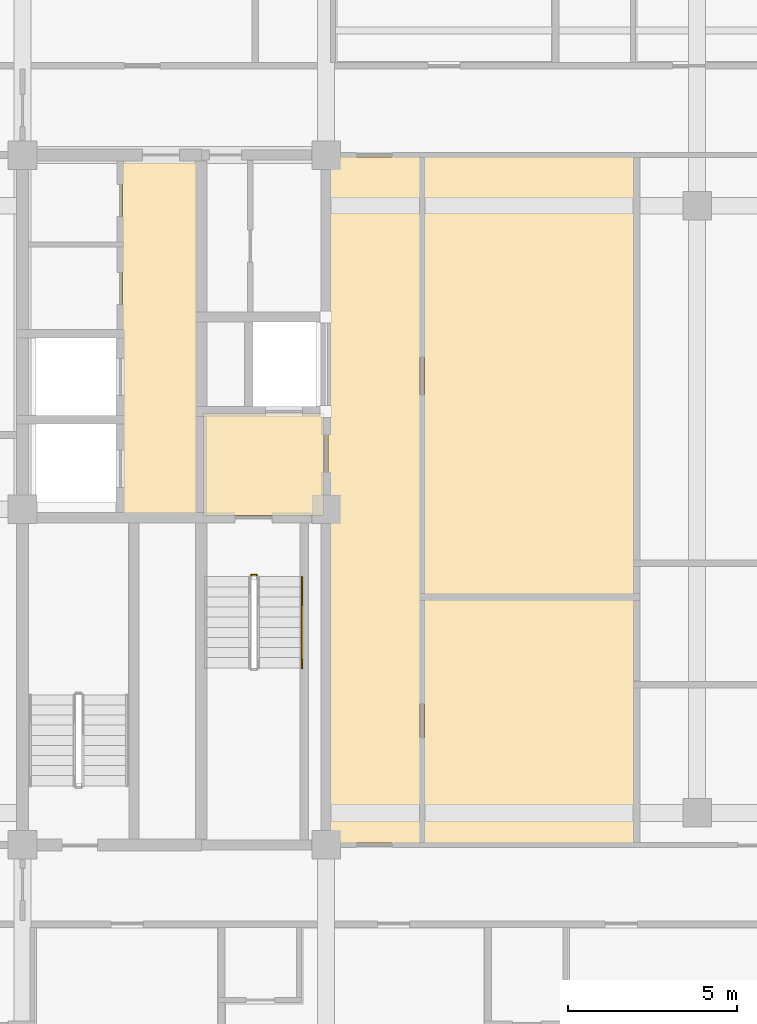
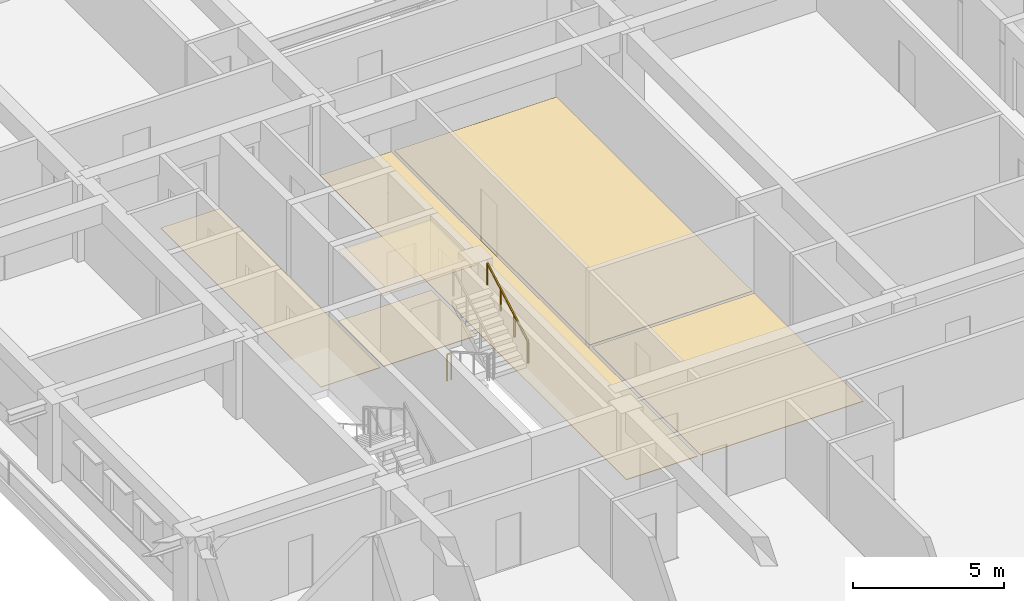
# One storey, part 11 of 14: 6 coverings, 2 railings.
"""IFC4 building model written with IfcOpenShell, lengths in metres."""

from ifc_helpers import new_model, si_unit, direction, frame, origin, origin_2d, place, context, subcontext, project, spatial, polyline, rectangle, outline, extrude, material, layer, layer_set, type_object, element, save


model = new_model("IFC4")

# Units and contexts
model_context = context("Model", 3, precision=1e-05, world=origin(), true_north=direction((0.0, 1.0)))
body_context = subcontext(model_context, "Body", "Model", "MODEL_VIEW")
ifc_project = project(units=[si_unit("LENGTHUNIT", "METRE"), si_unit("AREAUNIT", "SQUARE_METRE"), si_unit("VOLUMEUNIT", "CUBIC_METRE"), si_unit("PLANEANGLEUNIT", "RADIAN"), si_unit("MASSUNIT", "GRAM", prefix="KILO")], contexts=[model_context])

# Site, building, storey
site_placement = place(None, origin())
site = spatial("IfcSite", under=ifc_project, at=site_placement, CompositionType="ELEMENT")
building_placement = place(site_placement, origin())
building = spatial("IfcBuilding", under=site, at=building_placement, Name="Zulmaris Gate Convention Tower", CompositionType="ELEMENT")
storey_placement = place(building_placement, frame((0.0, 0.0, 211.85986328125)))
storey = spatial("IfcBuildingStorey", under=building, at=storey_placement, Name="L55", CompositionType="ELEMENT", Elevation=211.85986328125)

# Coverings
ifc_material_1 = material(Name="Mineral Fibre Acoustic Ceiling Tile")
ifc_layer_1 = layer(ifc_material_1, 0.02001953125, Name="Mineral Fibre Acoustic Ceiling Tile")
ifc_layer_set_1 = layer_set([ifc_layer_1], Name="Mineral Fibre Acoustic Ceiling Tile")
covering_type_1 = type_object("IfcCoveringType", Name="CLG-ACOUSTIC-600", PredefinedType="CEILING", material=ifc_layer_set_1)
covering_1_placement = place(storey_placement, frame((0.0, 0.0, 2.8701171875)))
element("IfcCovering", 1, at=covering_1_placement, inside=storey, type_object=covering_type_1, Name="CLG-L55-R03", PredefinedType="CEILING", context=body_context, shape_type="SweptSolid", body=[
    extrude(outline(polyline([(-14.639892578125, -0.18994140625), (-11.06005859375, -0.18994140625), (-11.06005859375, 2.840087890625), (-14.639892578125, 2.840087890625), (-14.639892578125, -0.18994140625)])), origin(), (0.0, 0.0, 1.0), 0.02001953125),
])
ifc_material_2 = material(Name="Woven Acoustic Wool Carpet Tile")
ifc_layer_2 = layer(ifc_material_2, 0.02001953125, Name="Woven Acoustic Wool Carpet Tile")
ifc_layer_set_2 = layer_set([ifc_layer_2], Name="Woven Acoustic Wool Carpet Tile")
covering_type_2 = type_object("IfcCoveringType", Name="FLR-CARPET-12", PredefinedType="FLOORING", material=ifc_layer_set_2)
covering_2_placement = place(storey_placement, origin())
element("IfcCovering", 2, at=covering_2_placement, inside=storey, type_object=covering_type_2, Name="FLR-L55-R03", PredefinedType="FLOORING", context=body_context, shape_type="SweptSolid", body=[
    extrude(outline(polyline([(-14.639892578125, -0.18994140625), (-11.06005859375, -0.18994140625), (-11.06005859375, 2.840087890625), (-14.639892578125, 2.840087890625), (-14.639892578125, -0.18994140625)])), origin(), (0.0, 0.0, 1.0), 0.02001953125),
])
covering_3_placement = place(storey_placement, origin())
element("IfcCovering", 3, at=covering_3_placement, inside=storey, type_object=covering_type_2, Name="FLR-L55-R18", PredefinedType="FLOORING", context=body_context, shape_type="SweptSolid", body=[
    extrude(outline(polyline([(-17.0400390625, -0.18994140625), (-14.760009765625, -0.18994140625), (-14.760009765625, 10.43994140625), (-17.0400390625, 10.43994140625), (-17.0400390625, -0.18994140625)])), origin(), (0.0, 0.0, 1.0), 0.02001953125),
])
covering_4_placement = place(storey_placement, origin())
element("IfcCovering", 4, at=covering_4_placement, inside=storey, type_object=covering_type_2, Name="FLR-L55-R30", PredefinedType="FLOORING", context=body_context, shape_type="SweptSolid", body=[
    extrude(outline(polyline([(-10.93994140625, -9.889892578125), (-8.2099609375, -9.889892578125), (-8.2099609375, 10.43994140625), (-10.93994140625, 10.43994140625), (-10.93994140625, -9.889892578125)])), origin(), (0.0, 0.0, 1.0), 0.02001953125),
])
covering_5_placement = place(storey_placement, origin())
element("IfcCovering", 5, at=covering_5_placement, inside=storey, type_object=covering_type_2, Name="FLR-L55-R48", PredefinedType="FLOORING", context=body_context, shape_type="SweptSolid", body=[
    extrude(outline(polyline([(-8.090087890625, -9.889892578125), (-1.860107421875, -9.889892578125), (-1.860107421875, -2.659912109375), (-8.090087890625, -2.659912109375), (-8.090087890625, -9.889892578125)])), origin(), (0.0, 0.0, 1.0), 0.02001953125),
])
ifc_material_3 = material(Name="Engineered Teak Parquet Flooring")
ifc_layer_3 = layer(ifc_material_3, 0.02001953125, Name="Engineered Teak Parquet Flooring")
ifc_layer_set_3 = layer_set([ifc_layer_3], Name="Engineered Teak Parquet Flooring")
covering_type_3 = type_object("IfcCoveringType", Name="FLR-TIMBER-18", PredefinedType="FLOORING", material=ifc_layer_set_3)
covering_6_placement = place(storey_placement, origin())
element("IfcCovering", 6, at=covering_6_placement, inside=storey, type_object=covering_type_3, Name="FLR-L55-R47", PredefinedType="FLOORING", context=body_context, shape_type="SweptSolid", body=[
    extrude(outline(polyline([(-8.090087890625, -2.5400390625), (-1.860107421875, -2.5400390625), (-1.860107421875, 10.43994140625), (-8.090087890625, 10.43994140625), (-8.090087890625, -2.5400390625)])), origin(), (0.0, 0.0, 1.0), 0.02001953125),
])

# Railings
ifc_material_4 = material(Name="Painted Galvanised Steel", Category="steel")
railing_type_1 = type_object("IfcRailingType", Name="RL-STG-1150", PredefinedType="GUARDRAIL", material=ifc_material_4)
railing_1_placement = place(storey_placement, frame((-13.219970703125, -1.949951171875, 0.0)))
element("IfcRailing", 7, at=railing_1_placement, inside=storey, type_object=railing_type_1, Name="L55 ST-1 stair guard 4", PredefinedType="GUARDRAIL", context=body_context, shape_type="SweptSolid", body=[
    extrude(rectangle(XDim=0.048095703125, YDim=0.048095703125, at=origin_2d()), frame((0.0, 0.0, 1.076171875), z_axis=(1.0, 0.0, 0.0), x_axis=(0.0, 1.0, 0.0)), (0.0, 0.0, 1.0), 0.159912109375),
    extrude(rectangle(XDim=0.0419921875, YDim=0.0419921875, at=origin_2d()), origin(), (0.0, 0.0, 1.0), 1.052001953125),
    extrude(rectangle(XDim=0.0419921875, YDim=0.0419921875, at=origin_2d()), frame((0.159912109375, 0.0, 0.0)), (0.0, 0.0, 1.0), 1.052001953125),
])
ifc_material_5 = material(Name="Brushed Stainless Steel", Category="steel")
railing_type_2 = type_object("IfcRailingType", Name="RL-STH-900", PredefinedType="HANDRAIL", material=ifc_material_5)
railing_2_placement = place(storey_placement, frame((-11.7099609375, -4.699951171875, 1.8701171875)))
element("IfcRailing", 8, at=railing_2_placement, inside=storey, type_object=railing_type_2, Name="L55 ST-1 stair handrail 2", PredefinedType="HANDRAIL", context=body_context, shape_type="SweptSolid", body=[
    extrude(rectangle(XDim=0.048095703125, YDim=0.048095703125, at=origin_2d()), frame((0.0, 0.0, 0.8759765625), z_axis=(0.0, 0.870014312096, 0.49302646658), x_axis=(-1.0, 0.0, 0.0)), (0.0, 0.0, 1.0), 3.103271484375),
    extrude(rectangle(XDim=0.0419921875, YDim=0.0419921875, at=origin_2d()), origin(), (0.0, 0.0, 1.0), 0.851806640625),
    extrude(rectangle(XDim=0.0419921875, YDim=0.0419921875, at=origin_2d()), frame((0.0, 0.89990234375, 0.510009765625)), (0.0, 0.0, 1.0), 0.851806640625),
    extrude(rectangle(XDim=0.0419921875, YDim=0.0419921875, at=origin_2d()), frame((0.0, 1.800048828125, 1.02001953125)), (0.0, 0.0, 1.0), 0.851806640625),
    extrude(rectangle(XDim=0.0419921875, YDim=0.0419921875, at=origin_2d()), frame((0.0, 2.699951171875, 1.530029296875)), (0.0, 0.0, 1.0), 0.851806640625),
])

save(model, "model.ifc")
